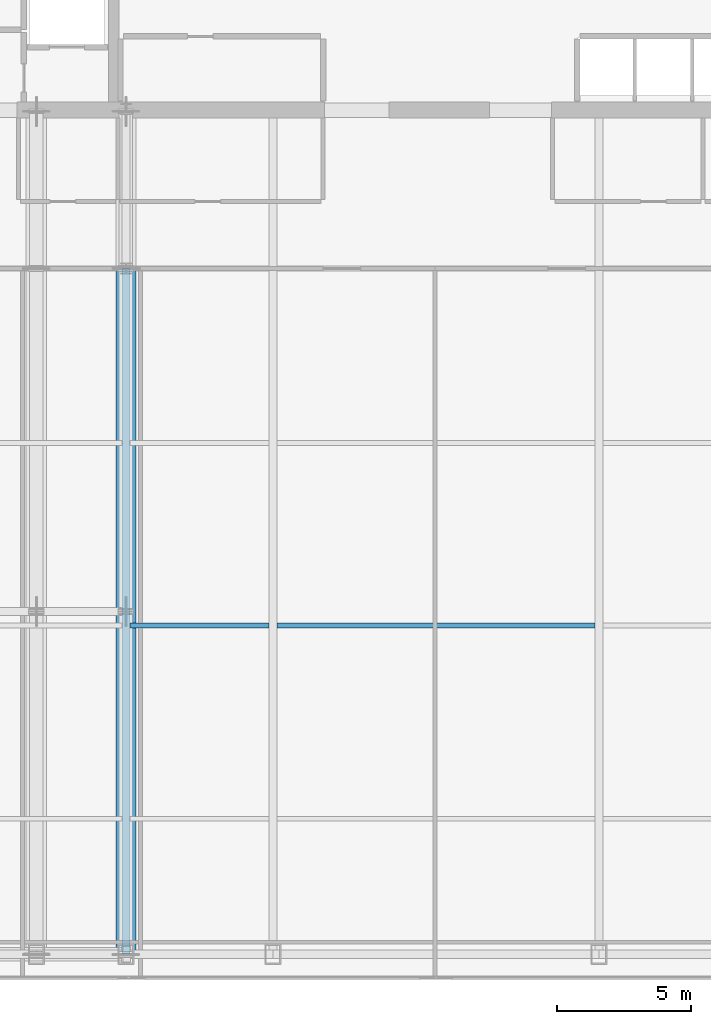
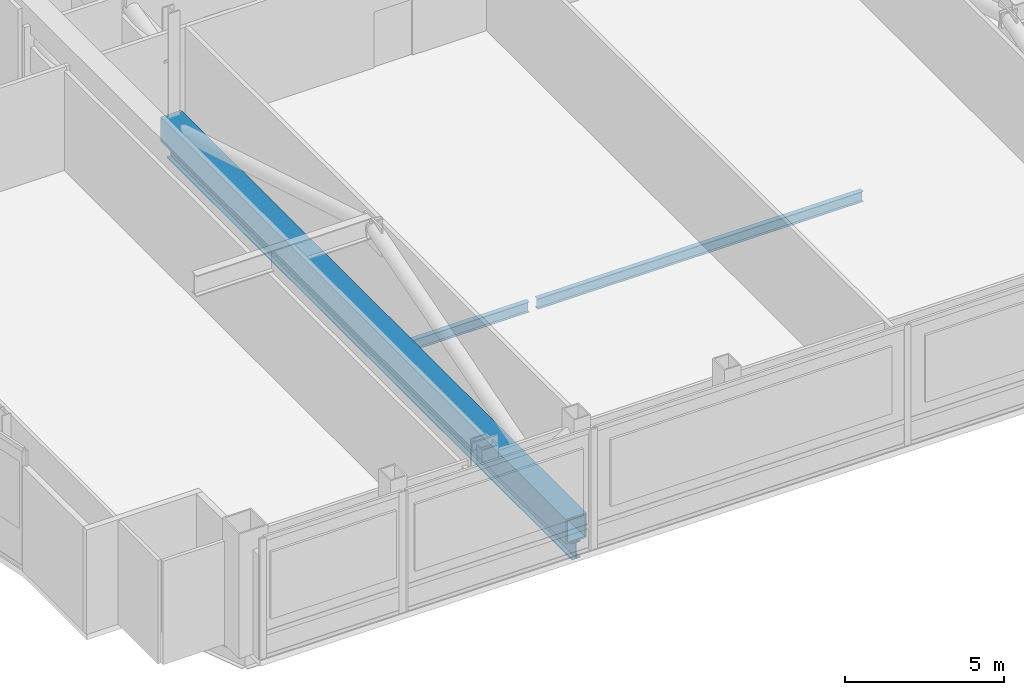
# One storey, part 11 of 32: 3 beams, 1 member.
"""IFC4 building model written with IfcOpenShell, lengths in metres."""

from ifc_helpers import new_model, si_unit, direction, frame, origin, origin_2d, place, context, subcontext, project, spatial, hollow_rectangle, i_section, extrude, material, material_profile, profile_set, type_object, element, save


model = new_model("IFC4")

# Units and contexts
model_context = context("Model", 3, precision=1e-05, world=origin(), true_north=direction((0.0, 1.0)))
body_context = subcontext(model_context, "Body", "Model", "MODEL_VIEW")
ifc_project = project(units=[si_unit("LENGTHUNIT", "METRE"), si_unit("AREAUNIT", "SQUARE_METRE"), si_unit("VOLUMEUNIT", "CUBIC_METRE"), si_unit("PLANEANGLEUNIT", "RADIAN"), si_unit("MASSUNIT", "GRAM", prefix="KILO")], contexts=[model_context])

# Site, building, storey
site_placement = place(None, origin())
site = spatial("IfcSite", under=ifc_project, at=site_placement, CompositionType="ELEMENT")
building_placement = place(site_placement, origin())
building = spatial("IfcBuilding", under=site, at=building_placement, Name="Khoronbel Lancet Exchange", CompositionType="ELEMENT")
storey_placement = place(building_placement, frame((0.0, 0.0, 257.0)))
storey = spatial("IfcBuildingStorey", under=building, at=storey_placement, Name="L66", CompositionType="ELEMENT", Elevation=257.0)

# Beams
ifc_material_1 = material(Name="Steel S355", Category="steel")
ifc_material_profile_1 = material_profile(ifc_material_1, i_section(OverallWidth=0.300048828125, OverallDepth=0.64990234375, WebThickness=0.01611328125, FlangeThickness=0.031005859375, at=origin_2d()), Name="HEB 650")
ifc_profile_set_1 = profile_set([ifc_material_profile_1], Name="Steel S355")
beam_type_1 = type_object("IfcBeamType", Name="BM-BG4", PredefinedType="BEAM", material=ifc_profile_set_1)
beam_1_placement = place(storey_placement, frame((24.89990234375, 10.14990234375, -0.544921875), z_axis=(0.0, 1.0, 0.0), x_axis=(-1.0, 0.0, 0.0)))
element("IfcBeam", 1, at=beam_1_placement, inside=storey, type_object=beam_type_1, Name="Level L66 south primary girder GS2", PredefinedType="BEAM", context=body_context, shape_type="SweptSolid", body=[
    extrude(i_section(OverallWidth=0.300048828125, OverallDepth=0.64990234375, WebThickness=0.01611328125, FlangeThickness=0.031005859375, at=origin_2d()), origin(), (0.0, 0.0, 1.0), 25.550048828125),
])
ifc_material_profile_2 = material_profile(ifc_material_1, i_section(OverallWidth=0.179931640625, OverallDepth=0.39990234375, WebThickness=0.008544921875, FlangeThickness=0.013427734375, at=origin_2d()), Name="IPE 400")
ifc_profile_set_2 = profile_set([ifc_material_profile_2], Name="Steel S355")
beam_type_2 = type_object("IfcBeamType", Name="BM-BJ5", PredefinedType="JOIST", material=ifc_profile_set_2)
beam_2_placement = place(storey_placement, frame((25.050048828125, 22.39990234375, -0.419921875), z_axis=(1.0, 0.0, 0.0), x_axis=(0.0, 1.0, 0.0)))
element("IfcBeam", 2, at=beam_2_placement, inside=storey, type_object=beam_type_2, Name="Level L66 secondary composite joist J07", PredefinedType="JOIST", context=body_context, shape_type="SweptSolid", body=[
    extrude(i_section(OverallWidth=0.179931640625, OverallDepth=0.39990234375, WebThickness=0.008544921875, FlangeThickness=0.013427734375, at=origin_2d()), origin(), (0.0, 0.0, 1.0), 5.175048828125),
])
beam_3_placement = place(storey_placement, frame((30.52490234375, 22.39990234375, -0.419921875), z_axis=(1.0, 0.0, 0.0), x_axis=(0.0, 1.0, 0.0)))
element("IfcBeam", 3, at=beam_3_placement, inside=storey, type_object=beam_type_2, Name="Level L66 secondary composite joist J08", PredefinedType="JOIST", context=body_context, shape_type="SweptSolid", body=[
    extrude(i_section(OverallWidth=0.179931640625, OverallDepth=0.39990234375, WebThickness=0.008544921875, FlangeThickness=0.013427734375, at=origin_2d()), origin(), (0.0, 0.0, 1.0), 11.85009765625),
])

# Member
ifc_material_2 = material(Name="Steel S460", Category="steel")
ifc_material_profile_3 = material_profile(ifc_material_2, hollow_rectangle(XDim=0.75, YDim=0.949951171875, WallThickness=0.054931640625, at=origin_2d()), Name="BOX 950x750x55")
ifc_profile_set_3 = profile_set([ifc_material_profile_3], Name="Steel S460")
member_type = type_object("IfcMemberType", Name="MEM-OCH2", PredefinedType="CHORD", material=ifc_profile_set_3)
member_placement = place(storey_placement, frame((24.89990234375, 10.14990234375, 0.300048828125), z_axis=(0.0, 1.0, 0.0), x_axis=(-1.0, 0.0, 0.0)))
element("IfcMember", 4, at=member_placement, inside=storey, type_object=member_type, Name="Outrigger truss bottom chord L66-2-BOT", PredefinedType="CHORD", context=body_context, shape_type="SweptSolid", body=[
    extrude(hollow_rectangle(XDim=0.75, YDim=0.949951171875, WallThickness=0.054931640625, at=origin_2d()), origin(), (0.0, 0.0, 1.0), 25.550048828125),
])

save(model, "model.ifc")
